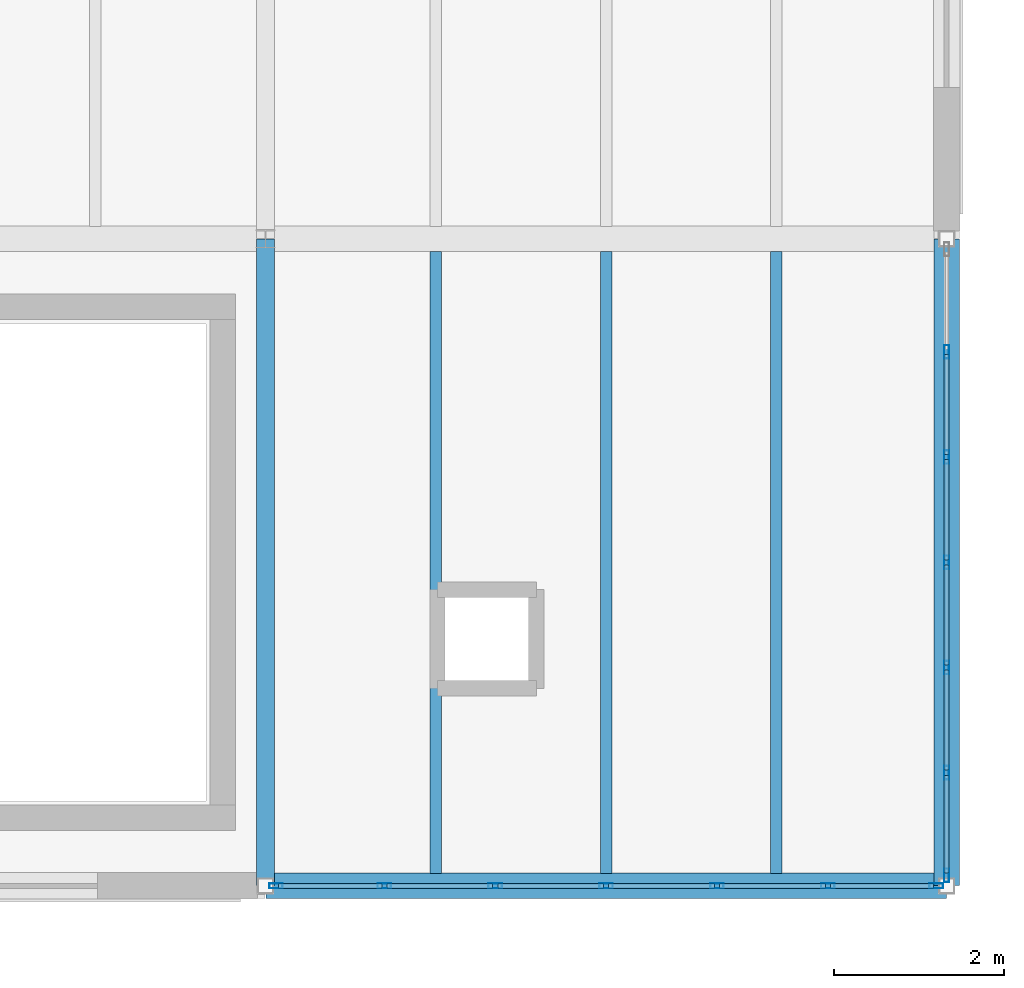
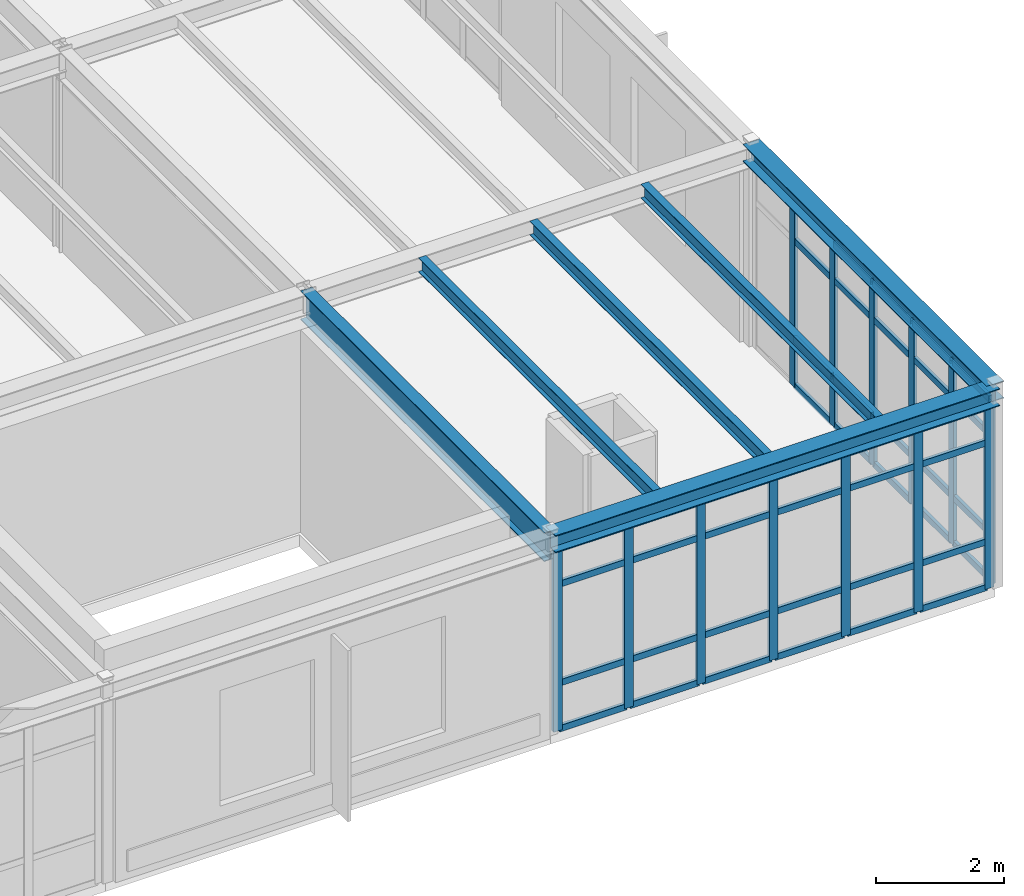
# One storey, part 31 of 65: 56 members, 6 beams, 2 elements without a shape of their own.
"""IFC4 building model written with IfcOpenShell, lengths in metres."""

from ifc_helpers import new_model, si_unit, direction, frame, origin, origin_2d, place, context, subcontext, project, spatial, hollow_rectangle, i_section, extrude, material, layer, layer_set, material_profile, profile_set, type_object, element, aggregate, save


model = new_model("IFC4")

# Units and contexts
model_context = context("Model", 3, precision=1e-05, world=origin(), true_north=direction((0.0, 1.0)))
body_context = subcontext(model_context, "Body", "Model", "MODEL_VIEW")
ifc_project = project(units=[si_unit("LENGTHUNIT", "METRE"), si_unit("AREAUNIT", "SQUARE_METRE"), si_unit("VOLUMEUNIT", "CUBIC_METRE"), si_unit("PLANEANGLEUNIT", "RADIAN"), si_unit("MASSUNIT", "GRAM", prefix="KILO")], contexts=[model_context])

# Site, building, storey
site_placement = place(None, origin())
site = spatial("IfcSite", under=ifc_project, at=site_placement, CompositionType="ELEMENT")
building_placement = place(site_placement, origin())
building = spatial("IfcBuilding", under=site, at=building_placement, Name="Montecoro Central Library", CompositionType="ELEMENT")
storey_placement = place(building_placement, frame((0.0, 0.0, 17.340087890625)))
storey = spatial("IfcBuildingStorey", under=building, at=storey_placement, Name="L04", CompositionType="ELEMENT", Elevation=17.340087890625)

# Beams
ifc_material_1 = material(Name="Steel S355J2", Category="steel")
ifc_material_profile_1 = material_profile(ifc_material_1, i_section(OverallWidth=0.2099609375, OverallDepth=0.550048828125, WebThickness=0.010986328125, FlangeThickness=0.01708984375, at=origin_2d()), Name="IPE 550")
ifc_profile_set_1 = profile_set([ifc_material_profile_1], Name="Steel S355J2")
beam_type_1 = type_object("IfcBeamType", Name="BM-G-IPE550", PredefinedType="USERDEFINED", material=ifc_profile_set_1)
beam_1_placement = place(storey_placement, frame((165.0, 5.0048828125, 3.5498046875), z_axis=(0.0, 1.0, 0.0), x_axis=(-1.0, 0.0, 0.0)))
element("IfcBeam", 1, at=beam_1_placement, inside=storey, type_object=beam_type_1, Name="V6-L04-BY-21-AB", ObjectType="GIRDER", PredefinedType="USERDEFINED", context=body_context, shape_type="SweptSolid", body=[
    extrude(i_section(OverallWidth=0.2099609375, OverallDepth=0.550048828125, WebThickness=0.010986328125, FlangeThickness=0.01708984375, at=origin_2d()), origin(), (0.0, 0.0, 1.0), 7.590087890625),
])
ifc_material_2 = material(Name="Steel S355", Category="steel")
ifc_material_profile_2 = material_profile(ifc_material_2, i_section(OverallWidth=0.135009765625, OverallDepth=0.27001953125, WebThickness=0.006591796875, FlangeThickness=0.01025390625, at=origin_2d()), Name="IPE 270")
ifc_profile_set_2 = profile_set([ifc_material_profile_2], Name="Steel S355")
beam_type_2 = type_object("IfcBeamType", Name="BM-J-IPE270", PredefinedType="JOIST", material=ifc_profile_set_2)
for number, where, z_axis, x_axis, name in (
    (2, (167.0, 5.14697265625, 3.68994140625), (0.0, 1.0, 0.0), (-1.0, 0.0, 0.0), "V6-L04-JS-2122-AB-1"),
    (3, (169.0, 5.14697265625, 3.68994140625), (0.0, 1.0, 0.0), (-1.0, 0.0, 0.0), "V6-L04-JS-2122-AB-2"),
    (4, (171.0, 5.14697265625, 3.68994140625), (0.0, 1.0, 0.0), (-1.0, 0.0, 0.0), "V6-L04-JS-2122-AB-3"),
):
    element("IfcBeam", number, at=place(storey_placement, frame(where, z_axis=z_axis, x_axis=x_axis)), inside=storey, type_object=beam_type_2, Name=name, PredefinedType="JOIST", context=body_context, shape_type="SweptSolid", body=[
        extrude(i_section(OverallWidth=0.135009765625, OverallDepth=0.27001953125, WebThickness=0.006591796875, FlangeThickness=0.01025390625, at=origin_2d()), origin(), (0.0, 0.0, 1.0), 7.305908203125),
    ])
ifc_material_profile_3 = material_profile(ifc_material_2, i_section(OverallWidth=0.300048828125, OverallDepth=0.330078125, WebThickness=0.009521484375, FlangeThickness=0.0166015625, at=origin_2d()), Name="HEA 340")
ifc_profile_set_3 = profile_set([ifc_material_profile_3], Name="Steel S355")
beam_type_3 = type_object("IfcBeamType", Name="BM-SP-HEA340", PredefinedType="SPANDREL", material=ifc_profile_set_3)
beam_2_placement = place(storey_placement, frame((165.0048828125, 5.0, 3.659912109375), z_axis=(1.0, 0.0, 0.0), x_axis=(0.0, 1.0, 0.0)))
element("IfcBeam", 5, at=beam_2_placement, inside=storey, type_object=beam_type_3, Name="V6-L04-BX-2122-A", PredefinedType="SPANDREL", context=body_context, shape_type="SweptSolid", body=[
    extrude(i_section(OverallWidth=0.300048828125, OverallDepth=0.330078125, WebThickness=0.009521484375, FlangeThickness=0.0166015625, at=origin_2d()), origin(), (0.0, 0.0, 1.0), 7.990234375),
])
beam_3_placement = place(storey_placement, frame((173.0, 5.0048828125, 3.659912109375), z_axis=(0.0, 1.0, 0.0), x_axis=(-1.0, 0.0, 0.0)))
element("IfcBeam", 6, at=beam_3_placement, inside=storey, type_object=beam_type_3, Name="V6-L04-BY-22-AB", PredefinedType="SPANDREL", context=body_context, shape_type="SweptSolid", body=[
    extrude(i_section(OverallWidth=0.300048828125, OverallDepth=0.330078125, WebThickness=0.009521484375, FlangeThickness=0.0166015625, at=origin_2d()), origin(), (0.0, 0.0, 1.0), 7.590087890625),
])

# Curtain wall, members
ifc_material_3 = material(Name="Bronze-anodised aluminium and low-E glazing", Category="aluminium")
ifc_layer_1 = layer(ifc_material_3, 0.159912109375)
ifc_layer_set_1 = layer_set([ifc_layer_1], Name="Bronze-anodised aluminium and low-E glazing")
curtain_wall_type_1 = type_object("IfcCurtainWallType", Name="CWT-072", PredefinedType="NOTDEFINED", material=ifc_layer_set_1)
curtain_wall_1_placement = place(storey_placement, origin())
curtain_wall_1 = element("IfcCurtainWall", 7, at=curtain_wall_1_placement, inside=storey, type_object=curtain_wall_type_1, Name="V6-L04-CW-S2", PredefinedType="NOTDEFINED")
ifc_material_4 = material(Name="Bronze-anodised aluminium", Category="aluminium")
ifc_material_profile_4 = material_profile(ifc_material_4, hollow_rectangle(XDim=0.06005859375, YDim=0.159912109375, WallThickness=0.00390625, at=origin_2d()), Name="CWM 160x60x4.0")
ifc_profile_set_4 = profile_set([ifc_material_profile_4], Name="Bronze-anodised aluminium")
member_type_1 = type_object("IfcMemberType", Name="CWM-BRZ-60", PredefinedType="MULLION", material=ifc_profile_set_4)
member_1_placement = place(storey_placement, frame((165.123046875, 5.0, 0.0), z_axis=(0.0, 0.0, 1.0), x_axis=(0.0, 1.0, 0.0)))
member_1 = element("IfcMember", 8, at=member_1_placement, type_object=member_type_1, Name="CW-072 mullion 1", PredefinedType="MULLION", context=body_context, shape_type="SweptSolid", body=[
    extrude(hollow_rectangle(XDim=0.06005859375, YDim=0.159912109375, WallThickness=0.00390625, at=origin_2d()), origin(), (0.0, 0.0, 1.0), 3.47998046875),
])
member_2_placement = place(storey_placement, frame((166.395263671875, 5.0, 0.0), z_axis=(0.0, 0.0, 1.0), x_axis=(0.0, 1.0, 0.0)))
member_2 = element("IfcMember", 9, at=member_2_placement, type_object=member_type_1, Name="CW-072 mullion 2", PredefinedType="MULLION", context=body_context, shape_type="SweptSolid", body=[
    extrude(hollow_rectangle(XDim=0.06005859375, YDim=0.159912109375, WallThickness=0.00390625, at=origin_2d()), origin(), (0.0, 0.0, 1.0), 3.47998046875),
])
member_3_placement = place(storey_placement, frame((167.69775390625, 5.0, 0.0), z_axis=(0.0, 0.0, 1.0), x_axis=(0.0, 1.0, 0.0)))
member_3 = element("IfcMember", 10, at=member_3_placement, type_object=member_type_1, Name="CW-072 mullion 3", PredefinedType="MULLION", context=body_context, shape_type="SweptSolid", body=[
    extrude(hollow_rectangle(XDim=0.06005859375, YDim=0.159912109375, WallThickness=0.00390625, at=origin_2d()), origin(), (0.0, 0.0, 1.0), 3.47998046875),
])
member_4_placement = place(storey_placement, frame((169.0, 5.0, 0.0), z_axis=(0.0, 0.0, 1.0), x_axis=(0.0, 1.0, 0.0)))
member_4 = element("IfcMember", 11, at=member_4_placement, type_object=member_type_1, Name="CW-072 mullion 4", PredefinedType="MULLION", context=body_context, shape_type="SweptSolid", body=[
    extrude(hollow_rectangle(XDim=0.06005859375, YDim=0.159912109375, WallThickness=0.00390625, at=origin_2d()), origin(), (0.0, 0.0, 1.0), 3.47998046875),
])
member_5_placement = place(storey_placement, frame((170.30224609375, 5.0, 0.0), z_axis=(0.0, 0.0, 1.0), x_axis=(0.0, 1.0, 0.0)))
member_5 = element("IfcMember", 12, at=member_5_placement, type_object=member_type_1, Name="CW-072 mullion 5", PredefinedType="MULLION", context=body_context, shape_type="SweptSolid", body=[
    extrude(hollow_rectangle(XDim=0.06005859375, YDim=0.159912109375, WallThickness=0.00390625, at=origin_2d()), origin(), (0.0, 0.0, 1.0), 3.47998046875),
])
member_6_placement = place(storey_placement, frame((171.604736328125, 5.0, 0.0), z_axis=(0.0, 0.0, 1.0), x_axis=(0.0, 1.0, 0.0)))
member_6 = element("IfcMember", 13, at=member_6_placement, type_object=member_type_1, Name="CW-072 mullion 6", PredefinedType="MULLION", context=body_context, shape_type="SweptSolid", body=[
    extrude(hollow_rectangle(XDim=0.06005859375, YDim=0.159912109375, WallThickness=0.00390625, at=origin_2d()), origin(), (0.0, 0.0, 1.0), 3.47998046875),
])
member_7_placement = place(storey_placement, frame((172.876953125, 5.0, 0.0), z_axis=(0.0, 0.0, 1.0), x_axis=(0.0, 1.0, 0.0)))
member_7 = element("IfcMember", 14, at=member_7_placement, type_object=member_type_1, Name="CW-072 mullion 7", PredefinedType="MULLION", context=body_context, shape_type="SweptSolid", body=[
    extrude(hollow_rectangle(XDim=0.06005859375, YDim=0.159912109375, WallThickness=0.00390625, at=origin_2d()), origin(), (0.0, 0.0, 1.0), 3.47998046875),
])

ifc_layer_2 = layer(ifc_material_3, 0.159912109375)
ifc_layer_set_2 = layer_set([ifc_layer_2], Name="Bronze-anodised aluminium and low-E glazing")
curtain_wall_type_2 = type_object("IfcCurtainWallType", Name="CWT-073", PredefinedType="NOTDEFINED", material=ifc_layer_set_2)
curtain_wall_2_placement = place(storey_placement, origin())
curtain_wall_2 = element("IfcCurtainWall", 15, at=curtain_wall_2_placement, inside=storey, type_object=curtain_wall_type_2, Name="V6-L04-CW-E0", PredefinedType="NOTDEFINED")
member_8_placement = place(storey_placement, frame((173.0, 5.123046875, 0.0), z_axis=(0.0, 0.0, 1.0), x_axis=(-1.0, 0.0, 0.0)))
member_8 = element("IfcMember", 16, at=member_8_placement, type_object=member_type_1, Name="CW-073 mullion 1", PredefinedType="MULLION", context=body_context, shape_type="SweptSolid", body=[
    extrude(hollow_rectangle(XDim=0.06005859375, YDim=0.159912109375, WallThickness=0.00390625, at=origin_2d()), origin(), (0.0, 0.0, 1.0), 3.47998046875),
])
member_9_placement = place(storey_placement, frame((173.0, 6.32861328125, 0.0), z_axis=(0.0, 0.0, 1.0), x_axis=(-1.0, 0.0, 0.0)))
member_9 = element("IfcMember", 17, at=member_9_placement, type_object=member_type_1, Name="CW-073 mullion 2", PredefinedType="MULLION", context=body_context, shape_type="SweptSolid", body=[
    extrude(hollow_rectangle(XDim=0.06005859375, YDim=0.159912109375, WallThickness=0.00390625, at=origin_2d()), origin(), (0.0, 0.0, 1.0), 3.47998046875),
])
member_10_placement = place(storey_placement, frame((173.0, 7.564453125, 0.0), z_axis=(0.0, 0.0, 1.0), x_axis=(-1.0, 0.0, 0.0)))
member_10 = element("IfcMember", 18, at=member_10_placement, type_object=member_type_1, Name="CW-073 mullion 3", PredefinedType="MULLION", context=body_context, shape_type="SweptSolid", body=[
    extrude(hollow_rectangle(XDim=0.06005859375, YDim=0.159912109375, WallThickness=0.00390625, at=origin_2d()), origin(), (0.0, 0.0, 1.0), 3.47998046875),
])
member_11_placement = place(storey_placement, frame((173.0, 8.800048828125, 0.0), z_axis=(0.0, 0.0, 1.0), x_axis=(-1.0, 0.0, 0.0)))
member_11 = element("IfcMember", 19, at=member_11_placement, type_object=member_type_1, Name="CW-073 mullion 4", PredefinedType="MULLION", context=body_context, shape_type="SweptSolid", body=[
    extrude(hollow_rectangle(XDim=0.06005859375, YDim=0.159912109375, WallThickness=0.00390625, at=origin_2d()), origin(), (0.0, 0.0, 1.0), 3.47998046875),
])
member_12_placement = place(storey_placement, frame((173.0, 10.03564453125, 0.0), z_axis=(0.0, 0.0, 1.0), x_axis=(-1.0, 0.0, 0.0)))
member_12 = element("IfcMember", 20, at=member_12_placement, type_object=member_type_1, Name="CW-073 mullion 5", PredefinedType="MULLION", context=body_context, shape_type="SweptSolid", body=[
    extrude(hollow_rectangle(XDim=0.06005859375, YDim=0.159912109375, WallThickness=0.00390625, at=origin_2d()), origin(), (0.0, 0.0, 1.0), 3.47998046875),
])
member_13_placement = place(storey_placement, frame((173.0, 11.271240234375, 0.0), z_axis=(0.0, 0.0, 1.0), x_axis=(-1.0, 0.0, 0.0)))
member_13 = element("IfcMember", 21, at=member_13_placement, type_object=member_type_1, Name="CW-073 mullion 6", PredefinedType="MULLION", context=body_context, shape_type="SweptSolid", body=[
    extrude(hollow_rectangle(XDim=0.06005859375, YDim=0.159912109375, WallThickness=0.00390625, at=origin_2d()), origin(), (0.0, 0.0, 1.0), 3.47998046875),
])

# Member
ifc_material_profile_5 = material_profile(ifc_material_4, hollow_rectangle(XDim=0.06005859375, YDim=0.1201171875, WallThickness=0.00390625, at=origin_2d()), Name="CWT 120x60x4.0")
ifc_profile_set_5 = profile_set([ifc_material_profile_5], Name="Bronze-anodised aluminium")
member_type_2 = type_object("IfcMemberType", Name="CWT-BRZ-60", PredefinedType="USERDEFINED", material=ifc_profile_set_5)
member_14_placement = place(storey_placement, frame((165.153076171875, 5.0, 0.030029296875), z_axis=(1.0, 0.0, 0.0), x_axis=(0.0, 1.0, 0.0)))
member_14 = element("IfcMember", 22, at=member_14_placement, type_object=member_type_2, Name="CW-072 transom 1.1", ObjectType="TRANSOM", PredefinedType="USERDEFINED", context=body_context, shape_type="SweptSolid", body=[
    extrude(hollow_rectangle(XDim=0.06005859375, YDim=0.1201171875, WallThickness=0.00390625, at=origin_2d()), origin(), (0.0, 0.0, 1.0), 1.212158203125),
])

member_15_placement = place(storey_placement, frame((165.153076171875, 5.0, 0.89990234375), z_axis=(1.0, 0.0, 0.0), x_axis=(0.0, 1.0, 0.0)))
member_15 = element("IfcMember", 23, at=member_15_placement, type_object=member_type_2, Name="CW-072 transom 1.2", ObjectType="TRANSOM", PredefinedType="USERDEFINED", context=body_context, shape_type="SweptSolid", body=[
    extrude(hollow_rectangle(XDim=0.06005859375, YDim=0.1201171875, WallThickness=0.00390625, at=origin_2d()), origin(), (0.0, 0.0, 1.0), 1.212158203125),
])

member_16_placement = place(storey_placement, frame((165.153076171875, 5.0, 2.780029296875), z_axis=(1.0, 0.0, 0.0), x_axis=(0.0, 1.0, 0.0)))
member_16 = element("IfcMember", 24, at=member_16_placement, type_object=member_type_2, Name="CW-072 transom 1.3", ObjectType="TRANSOM", PredefinedType="USERDEFINED", context=body_context, shape_type="SweptSolid", body=[
    extrude(hollow_rectangle(XDim=0.06005859375, YDim=0.1201171875, WallThickness=0.00390625, at=origin_2d()), origin(), (0.0, 0.0, 1.0), 1.212158203125),
])

member_17_placement = place(storey_placement, frame((165.153076171875, 5.0, 3.449951171875), z_axis=(1.0, 0.0, 0.0), x_axis=(0.0, 1.0, 0.0)))
member_17 = element("IfcMember", 25, at=member_17_placement, type_object=member_type_2, Name="CW-072 transom 1.4", ObjectType="TRANSOM", PredefinedType="USERDEFINED", context=body_context, shape_type="SweptSolid", body=[
    extrude(hollow_rectangle(XDim=0.06005859375, YDim=0.1201171875, WallThickness=0.00390625, at=origin_2d()), origin(), (0.0, 0.0, 1.0), 1.212158203125),
])

member_18_placement = place(storey_placement, frame((166.42529296875, 5.0, 0.030029296875), z_axis=(1.0, 0.0, 0.0), x_axis=(0.0, 1.0, 0.0)))
member_18 = element("IfcMember", 26, at=member_18_placement, type_object=member_type_2, Name="CW-072 transom 2.1", ObjectType="TRANSOM", PredefinedType="USERDEFINED", context=body_context, shape_type="SweptSolid", body=[
    extrude(hollow_rectangle(XDim=0.06005859375, YDim=0.1201171875, WallThickness=0.00390625, at=origin_2d()), origin(), (0.0, 0.0, 1.0), 1.242431640625),
])

member_19_placement = place(storey_placement, frame((166.42529296875, 5.0, 0.89990234375), z_axis=(1.0, 0.0, 0.0), x_axis=(0.0, 1.0, 0.0)))
member_19 = element("IfcMember", 27, at=member_19_placement, type_object=member_type_2, Name="CW-072 transom 2.2", ObjectType="TRANSOM", PredefinedType="USERDEFINED", context=body_context, shape_type="SweptSolid", body=[
    extrude(hollow_rectangle(XDim=0.06005859375, YDim=0.1201171875, WallThickness=0.00390625, at=origin_2d()), origin(), (0.0, 0.0, 1.0), 1.242431640625),
])

member_20_placement = place(storey_placement, frame((166.42529296875, 5.0, 2.780029296875), z_axis=(1.0, 0.0, 0.0), x_axis=(0.0, 1.0, 0.0)))
member_20 = element("IfcMember", 28, at=member_20_placement, type_object=member_type_2, Name="CW-072 transom 2.3", ObjectType="TRANSOM", PredefinedType="USERDEFINED", context=body_context, shape_type="SweptSolid", body=[
    extrude(hollow_rectangle(XDim=0.06005859375, YDim=0.1201171875, WallThickness=0.00390625, at=origin_2d()), origin(), (0.0, 0.0, 1.0), 1.242431640625),
])

member_21_placement = place(storey_placement, frame((166.42529296875, 5.0, 3.449951171875), z_axis=(1.0, 0.0, 0.0), x_axis=(0.0, 1.0, 0.0)))
member_21 = element("IfcMember", 29, at=member_21_placement, type_object=member_type_2, Name="CW-072 transom 2.4", ObjectType="TRANSOM", PredefinedType="USERDEFINED", context=body_context, shape_type="SweptSolid", body=[
    extrude(hollow_rectangle(XDim=0.06005859375, YDim=0.1201171875, WallThickness=0.00390625, at=origin_2d()), origin(), (0.0, 0.0, 1.0), 1.242431640625),
])

member_22_placement = place(storey_placement, frame((167.727783203125, 5.0, 0.030029296875), z_axis=(1.0, 0.0, 0.0), x_axis=(0.0, 1.0, 0.0)))
member_22 = element("IfcMember", 30, at=member_22_placement, type_object=member_type_2, Name="CW-072 transom 3.1", ObjectType="TRANSOM", PredefinedType="USERDEFINED", context=body_context, shape_type="SweptSolid", body=[
    extrude(hollow_rectangle(XDim=0.06005859375, YDim=0.1201171875, WallThickness=0.00390625, at=origin_2d()), origin(), (0.0, 0.0, 1.0), 1.2421875),
])

member_23_placement = place(storey_placement, frame((167.727783203125, 5.0, 0.89990234375), z_axis=(1.0, 0.0, 0.0), x_axis=(0.0, 1.0, 0.0)))
member_23 = element("IfcMember", 31, at=member_23_placement, type_object=member_type_2, Name="CW-072 transom 3.2", ObjectType="TRANSOM", PredefinedType="USERDEFINED", context=body_context, shape_type="SweptSolid", body=[
    extrude(hollow_rectangle(XDim=0.06005859375, YDim=0.1201171875, WallThickness=0.00390625, at=origin_2d()), origin(), (0.0, 0.0, 1.0), 1.2421875),
])

member_24_placement = place(storey_placement, frame((167.727783203125, 5.0, 2.780029296875), z_axis=(1.0, 0.0, 0.0), x_axis=(0.0, 1.0, 0.0)))
member_24 = element("IfcMember", 32, at=member_24_placement, type_object=member_type_2, Name="CW-072 transom 3.3", ObjectType="TRANSOM", PredefinedType="USERDEFINED", context=body_context, shape_type="SweptSolid", body=[
    extrude(hollow_rectangle(XDim=0.06005859375, YDim=0.1201171875, WallThickness=0.00390625, at=origin_2d()), origin(), (0.0, 0.0, 1.0), 1.2421875),
])

member_25_placement = place(storey_placement, frame((167.727783203125, 5.0, 3.449951171875), z_axis=(1.0, 0.0, 0.0), x_axis=(0.0, 1.0, 0.0)))
member_25 = element("IfcMember", 33, at=member_25_placement, type_object=member_type_2, Name="CW-072 transom 3.4", ObjectType="TRANSOM", PredefinedType="USERDEFINED", context=body_context, shape_type="SweptSolid", body=[
    extrude(hollow_rectangle(XDim=0.06005859375, YDim=0.1201171875, WallThickness=0.00390625, at=origin_2d()), origin(), (0.0, 0.0, 1.0), 1.2421875),
])

member_26_placement = place(storey_placement, frame((169.030029296875, 5.0, 0.030029296875), z_axis=(1.0, 0.0, 0.0), x_axis=(0.0, 1.0, 0.0)))
member_26 = element("IfcMember", 34, at=member_26_placement, type_object=member_type_2, Name="CW-072 transom 4.1", ObjectType="TRANSOM", PredefinedType="USERDEFINED", context=body_context, shape_type="SweptSolid", body=[
    extrude(hollow_rectangle(XDim=0.06005859375, YDim=0.1201171875, WallThickness=0.00390625, at=origin_2d()), origin(), (0.0, 0.0, 1.0), 1.2421875),
])

member_27_placement = place(storey_placement, frame((169.030029296875, 5.0, 0.89990234375), z_axis=(1.0, 0.0, 0.0), x_axis=(0.0, 1.0, 0.0)))
member_27 = element("IfcMember", 35, at=member_27_placement, type_object=member_type_2, Name="CW-072 transom 4.2", ObjectType="TRANSOM", PredefinedType="USERDEFINED", context=body_context, shape_type="SweptSolid", body=[
    extrude(hollow_rectangle(XDim=0.06005859375, YDim=0.1201171875, WallThickness=0.00390625, at=origin_2d()), origin(), (0.0, 0.0, 1.0), 1.2421875),
])

member_28_placement = place(storey_placement, frame((169.030029296875, 5.0, 2.780029296875), z_axis=(1.0, 0.0, 0.0), x_axis=(0.0, 1.0, 0.0)))
member_28 = element("IfcMember", 36, at=member_28_placement, type_object=member_type_2, Name="CW-072 transom 4.3", ObjectType="TRANSOM", PredefinedType="USERDEFINED", context=body_context, shape_type="SweptSolid", body=[
    extrude(hollow_rectangle(XDim=0.06005859375, YDim=0.1201171875, WallThickness=0.00390625, at=origin_2d()), origin(), (0.0, 0.0, 1.0), 1.2421875),
])

member_29_placement = place(storey_placement, frame((169.030029296875, 5.0, 3.449951171875), z_axis=(1.0, 0.0, 0.0), x_axis=(0.0, 1.0, 0.0)))
member_29 = element("IfcMember", 37, at=member_29_placement, type_object=member_type_2, Name="CW-072 transom 4.4", ObjectType="TRANSOM", PredefinedType="USERDEFINED", context=body_context, shape_type="SweptSolid", body=[
    extrude(hollow_rectangle(XDim=0.06005859375, YDim=0.1201171875, WallThickness=0.00390625, at=origin_2d()), origin(), (0.0, 0.0, 1.0), 1.2421875),
])

member_30_placement = place(storey_placement, frame((170.332275390625, 5.0, 0.030029296875), z_axis=(1.0, 0.0, 0.0), x_axis=(0.0, 1.0, 0.0)))
member_30 = element("IfcMember", 38, at=member_30_placement, type_object=member_type_2, Name="CW-072 transom 5.1", ObjectType="TRANSOM", PredefinedType="USERDEFINED", context=body_context, shape_type="SweptSolid", body=[
    extrude(hollow_rectangle(XDim=0.06005859375, YDim=0.1201171875, WallThickness=0.00390625, at=origin_2d()), origin(), (0.0, 0.0, 1.0), 1.242431640625),
])

member_31_placement = place(storey_placement, frame((170.332275390625, 5.0, 0.89990234375), z_axis=(1.0, 0.0, 0.0), x_axis=(0.0, 1.0, 0.0)))
member_31 = element("IfcMember", 39, at=member_31_placement, type_object=member_type_2, Name="CW-072 transom 5.2", ObjectType="TRANSOM", PredefinedType="USERDEFINED", context=body_context, shape_type="SweptSolid", body=[
    extrude(hollow_rectangle(XDim=0.06005859375, YDim=0.1201171875, WallThickness=0.00390625, at=origin_2d()), origin(), (0.0, 0.0, 1.0), 1.242431640625),
])

member_32_placement = place(storey_placement, frame((170.332275390625, 5.0, 2.780029296875), z_axis=(1.0, 0.0, 0.0), x_axis=(0.0, 1.0, 0.0)))
member_32 = element("IfcMember", 40, at=member_32_placement, type_object=member_type_2, Name="CW-072 transom 5.3", ObjectType="TRANSOM", PredefinedType="USERDEFINED", context=body_context, shape_type="SweptSolid", body=[
    extrude(hollow_rectangle(XDim=0.06005859375, YDim=0.1201171875, WallThickness=0.00390625, at=origin_2d()), origin(), (0.0, 0.0, 1.0), 1.242431640625),
])

member_33_placement = place(storey_placement, frame((170.332275390625, 5.0, 3.449951171875), z_axis=(1.0, 0.0, 0.0), x_axis=(0.0, 1.0, 0.0)))
member_33 = element("IfcMember", 41, at=member_33_placement, type_object=member_type_2, Name="CW-072 transom 5.4", ObjectType="TRANSOM", PredefinedType="USERDEFINED", context=body_context, shape_type="SweptSolid", body=[
    extrude(hollow_rectangle(XDim=0.06005859375, YDim=0.1201171875, WallThickness=0.00390625, at=origin_2d()), origin(), (0.0, 0.0, 1.0), 1.242431640625),
])

member_34_placement = place(storey_placement, frame((171.634765625, 5.0, 0.030029296875), z_axis=(1.0, 0.0, 0.0), x_axis=(0.0, 1.0, 0.0)))
member_34 = element("IfcMember", 42, at=member_34_placement, type_object=member_type_2, Name="CW-072 transom 6.1", ObjectType="TRANSOM", PredefinedType="USERDEFINED", context=body_context, shape_type="SweptSolid", body=[
    extrude(hollow_rectangle(XDim=0.06005859375, YDim=0.1201171875, WallThickness=0.00390625, at=origin_2d()), origin(), (0.0, 0.0, 1.0), 1.212158203125),
])

member_35_placement = place(storey_placement, frame((171.634765625, 5.0, 0.89990234375), z_axis=(1.0, 0.0, 0.0), x_axis=(0.0, 1.0, 0.0)))
member_35 = element("IfcMember", 43, at=member_35_placement, type_object=member_type_2, Name="CW-072 transom 6.2", ObjectType="TRANSOM", PredefinedType="USERDEFINED", context=body_context, shape_type="SweptSolid", body=[
    extrude(hollow_rectangle(XDim=0.06005859375, YDim=0.1201171875, WallThickness=0.00390625, at=origin_2d()), origin(), (0.0, 0.0, 1.0), 1.212158203125),
])

member_36_placement = place(storey_placement, frame((171.634765625, 5.0, 2.780029296875), z_axis=(1.0, 0.0, 0.0), x_axis=(0.0, 1.0, 0.0)))
member_36 = element("IfcMember", 44, at=member_36_placement, type_object=member_type_2, Name="CW-072 transom 6.3", ObjectType="TRANSOM", PredefinedType="USERDEFINED", context=body_context, shape_type="SweptSolid", body=[
    extrude(hollow_rectangle(XDim=0.06005859375, YDim=0.1201171875, WallThickness=0.00390625, at=origin_2d()), origin(), (0.0, 0.0, 1.0), 1.212158203125),
])

member_37_placement = place(storey_placement, frame((171.634765625, 5.0, 3.449951171875), z_axis=(1.0, 0.0, 0.0), x_axis=(0.0, 1.0, 0.0)))
member_37 = element("IfcMember", 45, at=member_37_placement, type_object=member_type_2, Name="CW-072 transom 6.4", ObjectType="TRANSOM", PredefinedType="USERDEFINED", context=body_context, shape_type="SweptSolid", body=[
    extrude(hollow_rectangle(XDim=0.06005859375, YDim=0.1201171875, WallThickness=0.00390625, at=origin_2d()), origin(), (0.0, 0.0, 1.0), 1.212158203125),
])

aggregate(curtain_wall_1, [member_1, member_2, member_3, member_4, member_5, member_6, member_7, member_14, member_15, member_16, member_17, member_18, member_19, member_20, member_21, member_22, member_23, member_24, member_25, member_26, member_27, member_28, member_29, member_30, member_31, member_32, member_33, member_34, member_35, member_36, member_37])

member_38_placement = place(storey_placement, frame((173.0, 5.153076171875, 0.030029296875), z_axis=(0.0, 1.0, 0.0), x_axis=(-1.0, 0.0, 0.0)))
member_38 = element("IfcMember", 46, at=member_38_placement, type_object=member_type_2, Name="CW-073 transom 1.1", ObjectType="TRANSOM", PredefinedType="USERDEFINED", context=body_context, shape_type="SweptSolid", body=[
    extrude(hollow_rectangle(XDim=0.06005859375, YDim=0.1201171875, WallThickness=0.00390625, at=origin_2d()), origin(), (0.0, 0.0, 1.0), 1.1455078125),
])

member_39_placement = place(storey_placement, frame((173.0, 5.153076171875, 0.89990234375), z_axis=(0.0, 1.0, 0.0), x_axis=(-1.0, 0.0, 0.0)))
member_39 = element("IfcMember", 47, at=member_39_placement, type_object=member_type_2, Name="CW-073 transom 1.2", ObjectType="TRANSOM", PredefinedType="USERDEFINED", context=body_context, shape_type="SweptSolid", body=[
    extrude(hollow_rectangle(XDim=0.06005859375, YDim=0.1201171875, WallThickness=0.00390625, at=origin_2d()), origin(), (0.0, 0.0, 1.0), 1.1455078125),
])

member_40_placement = place(storey_placement, frame((173.0, 5.153076171875, 2.780029296875), z_axis=(0.0, 1.0, 0.0), x_axis=(-1.0, 0.0, 0.0)))
member_40 = element("IfcMember", 48, at=member_40_placement, type_object=member_type_2, Name="CW-073 transom 1.3", ObjectType="TRANSOM", PredefinedType="USERDEFINED", context=body_context, shape_type="SweptSolid", body=[
    extrude(hollow_rectangle(XDim=0.06005859375, YDim=0.1201171875, WallThickness=0.00390625, at=origin_2d()), origin(), (0.0, 0.0, 1.0), 1.1455078125),
])

member_41_placement = place(storey_placement, frame((173.0, 5.153076171875, 3.449951171875), z_axis=(0.0, 1.0, 0.0), x_axis=(-1.0, 0.0, 0.0)))
member_41 = element("IfcMember", 49, at=member_41_placement, type_object=member_type_2, Name="CW-073 transom 1.4", ObjectType="TRANSOM", PredefinedType="USERDEFINED", context=body_context, shape_type="SweptSolid", body=[
    extrude(hollow_rectangle(XDim=0.06005859375, YDim=0.1201171875, WallThickness=0.00390625, at=origin_2d()), origin(), (0.0, 0.0, 1.0), 1.1455078125),
])

member_42_placement = place(storey_placement, frame((173.0, 6.358642578125, 0.030029296875), z_axis=(0.0, 1.0, 0.0), x_axis=(-1.0, 0.0, 0.0)))
member_42 = element("IfcMember", 50, at=member_42_placement, type_object=member_type_2, Name="CW-073 transom 2.1", ObjectType="TRANSOM", PredefinedType="USERDEFINED", context=body_context, shape_type="SweptSolid", body=[
    extrude(hollow_rectangle(XDim=0.06005859375, YDim=0.1201171875, WallThickness=0.00390625, at=origin_2d()), origin(), (0.0, 0.0, 1.0), 1.17578125),
])

member_43_placement = place(storey_placement, frame((173.0, 6.358642578125, 0.89990234375), z_axis=(0.0, 1.0, 0.0), x_axis=(-1.0, 0.0, 0.0)))
member_43 = element("IfcMember", 51, at=member_43_placement, type_object=member_type_2, Name="CW-073 transom 2.2", ObjectType="TRANSOM", PredefinedType="USERDEFINED", context=body_context, shape_type="SweptSolid", body=[
    extrude(hollow_rectangle(XDim=0.06005859375, YDim=0.1201171875, WallThickness=0.00390625, at=origin_2d()), origin(), (0.0, 0.0, 1.0), 1.17578125),
])

member_44_placement = place(storey_placement, frame((173.0, 6.358642578125, 2.780029296875), z_axis=(0.0, 1.0, 0.0), x_axis=(-1.0, 0.0, 0.0)))
member_44 = element("IfcMember", 52, at=member_44_placement, type_object=member_type_2, Name="CW-073 transom 2.3", ObjectType="TRANSOM", PredefinedType="USERDEFINED", context=body_context, shape_type="SweptSolid", body=[
    extrude(hollow_rectangle(XDim=0.06005859375, YDim=0.1201171875, WallThickness=0.00390625, at=origin_2d()), origin(), (0.0, 0.0, 1.0), 1.17578125),
])

member_45_placement = place(storey_placement, frame((173.0, 6.358642578125, 3.449951171875), z_axis=(0.0, 1.0, 0.0), x_axis=(-1.0, 0.0, 0.0)))
member_45 = element("IfcMember", 53, at=member_45_placement, type_object=member_type_2, Name="CW-073 transom 2.4", ObjectType="TRANSOM", PredefinedType="USERDEFINED", context=body_context, shape_type="SweptSolid", body=[
    extrude(hollow_rectangle(XDim=0.06005859375, YDim=0.1201171875, WallThickness=0.00390625, at=origin_2d()), origin(), (0.0, 0.0, 1.0), 1.17578125),
])

member_46_placement = place(storey_placement, frame((173.0, 7.59423828125, 0.030029296875), z_axis=(0.0, 1.0, 0.0), x_axis=(-1.0, 0.0, 0.0)))
member_46 = element("IfcMember", 54, at=member_46_placement, type_object=member_type_2, Name="CW-073 transom 3.1", ObjectType="TRANSOM", PredefinedType="USERDEFINED", context=body_context, shape_type="SweptSolid", body=[
    extrude(hollow_rectangle(XDim=0.06005859375, YDim=0.1201171875, WallThickness=0.00390625, at=origin_2d()), origin(), (0.0, 0.0, 1.0), 1.17578125),
])

member_47_placement = place(storey_placement, frame((173.0, 7.59423828125, 0.89990234375), z_axis=(0.0, 1.0, 0.0), x_axis=(-1.0, 0.0, 0.0)))
member_47 = element("IfcMember", 55, at=member_47_placement, type_object=member_type_2, Name="CW-073 transom 3.2", ObjectType="TRANSOM", PredefinedType="USERDEFINED", context=body_context, shape_type="SweptSolid", body=[
    extrude(hollow_rectangle(XDim=0.06005859375, YDim=0.1201171875, WallThickness=0.00390625, at=origin_2d()), origin(), (0.0, 0.0, 1.0), 1.17578125),
])

member_48_placement = place(storey_placement, frame((173.0, 7.59423828125, 2.780029296875), z_axis=(0.0, 1.0, 0.0), x_axis=(-1.0, 0.0, 0.0)))
member_48 = element("IfcMember", 56, at=member_48_placement, type_object=member_type_2, Name="CW-073 transom 3.3", ObjectType="TRANSOM", PredefinedType="USERDEFINED", context=body_context, shape_type="SweptSolid", body=[
    extrude(hollow_rectangle(XDim=0.06005859375, YDim=0.1201171875, WallThickness=0.00390625, at=origin_2d()), origin(), (0.0, 0.0, 1.0), 1.17578125),
])

member_49_placement = place(storey_placement, frame((173.0, 7.59423828125, 3.449951171875), z_axis=(0.0, 1.0, 0.0), x_axis=(-1.0, 0.0, 0.0)))
member_49 = element("IfcMember", 57, at=member_49_placement, type_object=member_type_2, Name="CW-073 transom 3.4", ObjectType="TRANSOM", PredefinedType="USERDEFINED", context=body_context, shape_type="SweptSolid", body=[
    extrude(hollow_rectangle(XDim=0.06005859375, YDim=0.1201171875, WallThickness=0.00390625, at=origin_2d()), origin(), (0.0, 0.0, 1.0), 1.17578125),
])

member_50_placement = place(storey_placement, frame((173.0, 8.830078125, 0.030029296875), z_axis=(0.0, 1.0, 0.0), x_axis=(-1.0, 0.0, 0.0)))
member_50 = element("IfcMember", 58, at=member_50_placement, type_object=member_type_2, Name="CW-073 transom 4.1", ObjectType="TRANSOM", PredefinedType="USERDEFINED", context=body_context, shape_type="SweptSolid", body=[
    extrude(hollow_rectangle(XDim=0.06005859375, YDim=0.1201171875, WallThickness=0.00390625, at=origin_2d()), origin(), (0.0, 0.0, 1.0), 1.175537109375),
])

member_51_placement = place(storey_placement, frame((173.0, 8.830078125, 0.89990234375), z_axis=(0.0, 1.0, 0.0), x_axis=(-1.0, 0.0, 0.0)))
member_51 = element("IfcMember", 59, at=member_51_placement, type_object=member_type_2, Name="CW-073 transom 4.2", ObjectType="TRANSOM", PredefinedType="USERDEFINED", context=body_context, shape_type="SweptSolid", body=[
    extrude(hollow_rectangle(XDim=0.06005859375, YDim=0.1201171875, WallThickness=0.00390625, at=origin_2d()), origin(), (0.0, 0.0, 1.0), 1.175537109375),
])

member_52_placement = place(storey_placement, frame((173.0, 8.830078125, 2.780029296875), z_axis=(0.0, 1.0, 0.0), x_axis=(-1.0, 0.0, 0.0)))
member_52 = element("IfcMember", 60, at=member_52_placement, type_object=member_type_2, Name="CW-073 transom 4.3", ObjectType="TRANSOM", PredefinedType="USERDEFINED", context=body_context, shape_type="SweptSolid", body=[
    extrude(hollow_rectangle(XDim=0.06005859375, YDim=0.1201171875, WallThickness=0.00390625, at=origin_2d()), origin(), (0.0, 0.0, 1.0), 1.175537109375),
])

member_53_placement = place(storey_placement, frame((173.0, 8.830078125, 3.449951171875), z_axis=(0.0, 1.0, 0.0), x_axis=(-1.0, 0.0, 0.0)))
member_53 = element("IfcMember", 61, at=member_53_placement, type_object=member_type_2, Name="CW-073 transom 4.4", ObjectType="TRANSOM", PredefinedType="USERDEFINED", context=body_context, shape_type="SweptSolid", body=[
    extrude(hollow_rectangle(XDim=0.06005859375, YDim=0.1201171875, WallThickness=0.00390625, at=origin_2d()), origin(), (0.0, 0.0, 1.0), 1.175537109375),
])

member_54_placement = place(storey_placement, frame((173.0, 10.065673828125, 0.030029296875), z_axis=(0.0, 1.0, 0.0), x_axis=(-1.0, 0.0, 0.0)))
member_54 = element("IfcMember", 62, at=member_54_placement, type_object=member_type_2, Name="CW-073 transom 5.1", ObjectType="TRANSOM", PredefinedType="USERDEFINED", context=body_context, shape_type="SweptSolid", body=[
    extrude(hollow_rectangle(XDim=0.06005859375, YDim=0.1201171875, WallThickness=0.00390625, at=origin_2d()), origin(), (0.0, 0.0, 1.0), 1.17578125),
])

member_55_placement = place(storey_placement, frame((173.0, 10.065673828125, 0.89990234375), z_axis=(0.0, 1.0, 0.0), x_axis=(-1.0, 0.0, 0.0)))
member_55 = element("IfcMember", 63, at=member_55_placement, type_object=member_type_2, Name="CW-073 transom 5.2", ObjectType="TRANSOM", PredefinedType="USERDEFINED", context=body_context, shape_type="SweptSolid", body=[
    extrude(hollow_rectangle(XDim=0.06005859375, YDim=0.1201171875, WallThickness=0.00390625, at=origin_2d()), origin(), (0.0, 0.0, 1.0), 1.17578125),
])

member_56_placement = place(storey_placement, frame((173.0, 10.065673828125, 2.780029296875), z_axis=(0.0, 1.0, 0.0), x_axis=(-1.0, 0.0, 0.0)))
member_56 = element("IfcMember", 64, at=member_56_placement, type_object=member_type_2, Name="CW-073 transom 5.3", ObjectType="TRANSOM", PredefinedType="USERDEFINED", context=body_context, shape_type="SweptSolid", body=[
    extrude(hollow_rectangle(XDim=0.06005859375, YDim=0.1201171875, WallThickness=0.00390625, at=origin_2d()), origin(), (0.0, 0.0, 1.0), 1.17578125),
])

aggregate(curtain_wall_2, [member_8, member_9, member_10, member_11, member_12, member_13, member_38, member_39, member_40, member_41, member_42, member_43, member_44, member_45, member_46, member_47, member_48, member_49, member_50, member_51, member_52, member_53, member_54, member_55, member_56])

save(model, "model.ifc")
